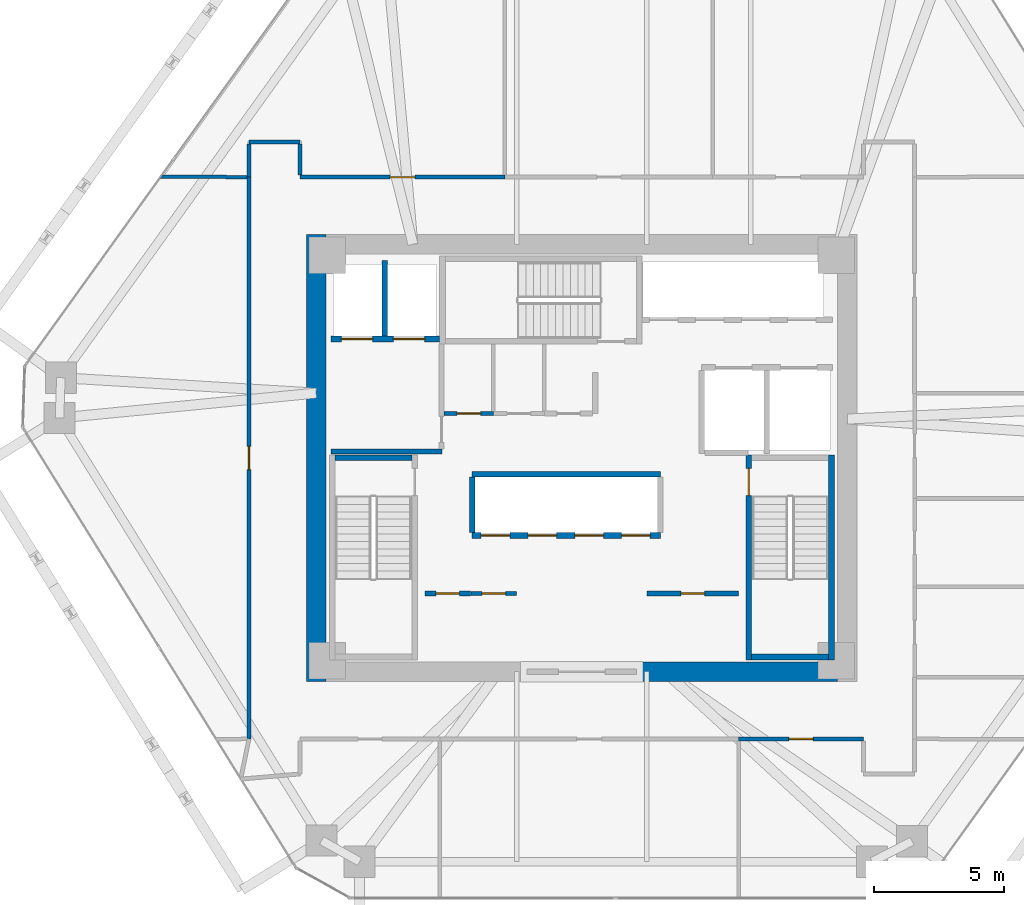
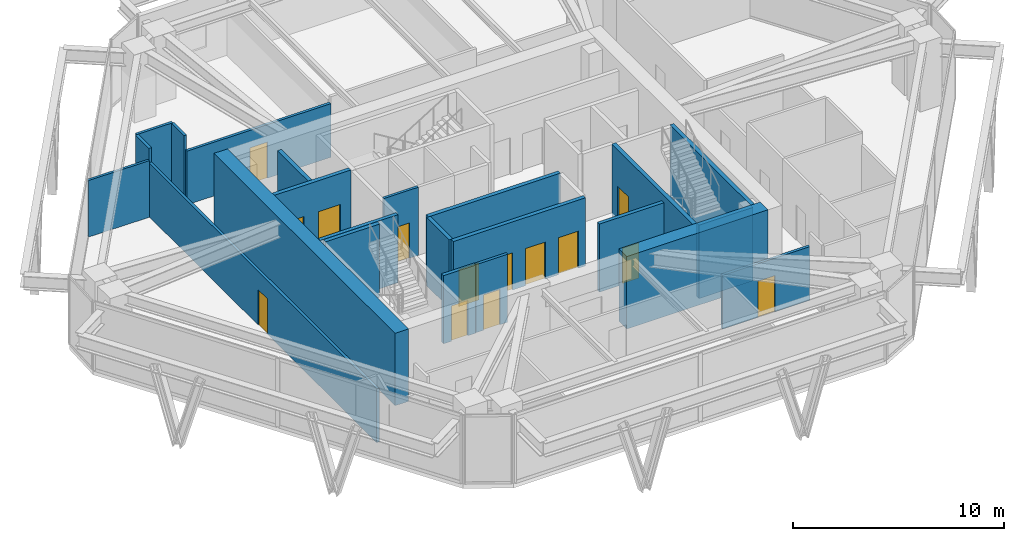
# One storey, part 10 of 14: 23 walls, 14 doors, 14 openings.
"""IFC4 building model written with IfcOpenShell, lengths in metres."""

from ifc_helpers import new_model, si_unit, direction, frame, frame_2d, origin, place, context, subcontext, project, spatial, rectangle, extrude, source, transform, mapped, material, layer, layer_set, type_object, type_shapes, element, fill, save


model = new_model("IFC4")

# Units and contexts
model_context = context("Model", 3, precision=1e-05, world=origin(), true_north=direction((0.0, 1.0)))
body_context = subcontext(model_context, "Body", "Model", "MODEL_VIEW")
ifc_project = project(units=[si_unit("LENGTHUNIT", "METRE"), si_unit("AREAUNIT", "SQUARE_METRE"), si_unit("VOLUMEUNIT", "CUBIC_METRE"), si_unit("PLANEANGLEUNIT", "RADIAN"), si_unit("MASSUNIT", "GRAM", prefix="KILO")], contexts=[model_context])

# Site, building, storey
site_placement = place(None, origin())
site = spatial("IfcSite", under=ifc_project, at=site_placement, CompositionType="ELEMENT")
building_placement = place(site_placement, origin())
building = spatial("IfcBuilding", under=site, at=building_placement, Name="Durnholm Broadcast Tower", CompositionType="ELEMENT")
storey_placement = place(building_placement, frame((0.0, 0.0, 93.300048828125)))
storey = spatial("IfcBuildingStorey", under=building, at=storey_placement, Name="L24", CompositionType="ELEMENT", Elevation=93.300048828125)

# Walls
ifc_material_1 = material(Name="Concrete C70/85", Category="concrete")
ifc_layer_1 = layer(ifc_material_1, 0.75)
ifc_layer_set_1 = layer_set([ifc_layer_1], Name="Concrete C70/85")
wall_type_1 = type_object("IfcWallType", Name="WALL-CW-750", PredefinedType="SHEAR", material=ifc_layer_set_1)
wall_1_placement = place(storey_placement, frame((-10.22509765625, -8.60009765625, 0.0), z_axis=(0.0, 0.0, 1.0), x_axis=(0.0, 1.0, 0.0)))
element("IfcWall", 1, at=wall_1_placement, inside=storey, type_object=wall_type_1, Name="L24 central core shear wall CW-WEST", PredefinedType="SHEAR", context=body_context, shape_type="SweptSolid", body=[
    extrude(rectangle(XDim=17.2001953125, YDim=0.75, at=frame_2d((8.60009765625, 0.0))), origin(), (0.0, 0.0, 1.0), 4.199951171875),
])
wall_2_placement = place(storey_placement, frame((2.10009765625, -8.22509765625, 0.0), z_axis=(0.0, 0.0, 1.0), x_axis=(1.0, 0.0, 0.0)))
element("IfcWall", 2, at=wall_2_placement, inside=storey, type_object=wall_type_1, Name="L24 central core shear wall CW-S2", PredefinedType="SHEAR", context=body_context, shape_type="SweptSolid", body=[
    extrude(rectangle(XDim=7.75, YDim=0.75, at=frame_2d((3.875, 0.0))), origin(), (0.0, 0.0, 1.0), 4.199951171875),
])
ifc_material_2 = material(Name="Fire-Rated Gypsum Shaftwall", Category="concrete")
ifc_layer_2 = layer(ifc_material_2, 0.199951171875)
ifc_layer_set_2 = layer_set([ifc_layer_2], Name="Fire-Rated Gypsum Shaftwall")
wall_type_2 = type_object("IfcWallType", Name="WALL-LOB-200", PredefinedType="SOLIDWALL", material=ifc_layer_set_2)
wall_3_placement = place(storey_placement, frame((-9.64990234375, 0.25, 0.0), z_axis=(0.0, 0.0, 1.0), x_axis=(1.0, 0.0, 0.0)))
element("IfcWall", 3, at=wall_3_placement, inside=storey, type_object=wall_type_2, Name="L24 Fire Service Access Elevator lobby south wall", PredefinedType="SOLIDWALL", context=body_context, shape_type="SweptSolid", body=[
    extrude(rectangle(XDim=4.27001953125, YDim=0.199951171875, at=frame_2d((2.135009765625, 0.0))), origin(), (0.0, 0.0, 1.0), 3.945068359375),
])

# Wall, opening, door
wall_4_placement = place(storey_placement, frame((-6.0400390625, -5.2099609375, 0.0), z_axis=(0.0, 0.0, 1.0), x_axis=(1.0, 0.0, 0.0)))
wall_4 = element("IfcWall", 4, at=wall_4_placement, inside=storey, type_object=wall_type_2, Name="L24 Media Fiber Patch Room corridor partition", PredefinedType="SOLIDWALL", context=body_context, shape_type="SweptSolid", body=[
    extrude(rectangle(XDim=1.760009765625, YDim=0.199951171875, at=frame_2d((0.8798828125, 0.0))), origin(), (0.0, 0.0, 1.0), 3.945068359375),
])
opening_1_placement = place(wall_4_placement, frame((0.429931640625, 0.0, 0.0)))
opening_1 = element("IfcOpeningElement", 5, at=opening_1_placement, cuts=wall_4, Name="Opening DC-60R", PredefinedType="OPENING", context=body_context, shape_type="SweptSolid", body=[
    extrude(rectangle(XDim=0.89990234375, YDim=2.050048828125, at=frame_2d((0.449951171875, 1.02490234375))), frame((0.0, 0.10986328125, 0.0), z_axis=(0.0, -1.0, 0.0), x_axis=(1.0, 0.0, 0.0)), (0.0, 0.0, 1.0), 0.219970703125),
])
ifc_material_3 = material(Name="Fire-Rated Core Service Door", Category="steel")
ifc_layer_3 = layer(ifc_material_3, 0.050048828125)
ifc_layer_set_3 = layer_set([ifc_layer_3], Name="Fire-Rated Core Service Door")
door_type_1 = type_object("IfcDoorType", Name="DOOR-CORE-FD60-R", OperationType="NOTDEFINED", PredefinedType="DOOR", material=ifc_layer_set_3)
shared_shape_1 = source(origin(), body_context, "Body", "SweptSolid", [
    extrude(rectangle(XDim=0.89990234375, YDim=2.050048828125, at=frame_2d((0.449951171875, 1.02490234375))), frame((0.0, 0.02490234375, 0.0), z_axis=(0.0, -1.0, 0.0), x_axis=(1.0, 0.0, 0.0)), (0.0, 0.0, 1.0), 0.050048828125),
])
type_shapes(door_type_1, [shared_shape_1])
door_1_placement = place(opening_1_placement, origin())
door_1 = element("IfcDoor", 6, at=door_1_placement, inside=storey, type_object=door_type_1, Name="L24 Media Fiber Patch Room entrance door", OperationType="SINGLE_SWING_RIGHT", OverallHeight=2.050048828125, OverallWidth=0.89990234375, PredefinedType="DOOR", context=body_context, shape_type="MappedRepresentation", body=[
    mapped(shared_shape_1, transform((0.0, 0.0, 0.0), x_axis=(1.0, 0.0, 0.0), y_axis=(0.0, 1.0, 0.0), z_axis=(0.0, 0.0, 1.0), scale=1.0)),
])
fill(opening_1, door_1)

wall_5_placement = place(storey_placement, frame((2.510009765625, -5.2099609375, 0.0), z_axis=(0.0, 0.0, 1.0), x_axis=(1.0, 0.0, 0.0)))
wall_5 = element("IfcWall", 7, at=wall_5_placement, inside=storey, type_object=wall_type_2, Name="L24 Telemetry Control Closet corridor partition", PredefinedType="SOLIDWALL", context=body_context, shape_type="SweptSolid", body=[
    extrude(rectangle(XDim=3.530029296875, YDim=0.199951171875, at=frame_2d((1.76513671875, 0.0))), origin(), (0.0, 0.0, 1.0), 3.945068359375),
])
opening_2_placement = place(wall_5_placement, frame((1.31494140625, 0.0, 0.0)))
opening_2 = element("IfcOpeningElement", 8, at=opening_2_placement, cuts=wall_5, Name="Opening DC-60R", PredefinedType="OPENING", context=body_context, shape_type="SweptSolid", body=[
    extrude(rectangle(XDim=0.89990234375, YDim=2.050048828125, at=frame_2d((0.449951171875, 1.02490234375))), frame((0.0, 0.10986328125, 0.0), z_axis=(0.0, -1.0, 0.0), x_axis=(1.0, 0.0, 0.0)), (0.0, 0.0, 1.0), 0.219970703125),
])
door_2_placement = place(opening_2_placement, origin())
door_2 = element("IfcDoor", 9, at=door_2_placement, inside=storey, type_object=door_type_1, Name="L24 Telemetry Control Closet entrance door", OperationType="SINGLE_SWING_RIGHT", OverallHeight=2.050048828125, OverallWidth=0.89990234375, PredefinedType="DOOR", context=body_context, shape_type="MappedRepresentation", body=[
    mapped(shared_shape_1, transform((0.0, 0.0, 0.0), x_axis=(1.0, 0.0, 0.0), y_axis=(0.0, 1.0, 0.0), z_axis=(0.0, 0.0, 1.0), scale=1.0)),
])
fill(opening_2, door_2)

# Wall
ifc_material_4 = material(Name="Gypsum Metal Stud Partition", Category="concrete")
ifc_layer_4 = layer(ifc_material_4, 0.135009765625)
ifc_layer_set_4 = layer_set([ifc_layer_4], Name="Gypsum Metal Stud Partition")
wall_type_3 = type_object("IfcWallType", Name="WALL-PART-135", PredefinedType="PARTITIONING", material=ifc_layer_set_4)
wall_6_placement = place(storey_placement, frame((-12.888916015625, 10.810546875, 0.0), z_axis=(0.0, 0.0, 1.0), x_axis=(-0.999976657862, 0.006832549348, 0.0)))
element("IfcWall", 10, at=wall_6_placement, inside=storey, type_object=wall_type_3, Name="L24 room dividing partition 10.16", PredefinedType="PARTITIONING", context=body_context, shape_type="SweptSolid", body=[
    extrude(rectangle(XDim=3.322998046875, YDim=0.135009765625, at=frame_2d((1.66162109375, 0.0))), origin(), (0.0, 0.0, 1.0), 3.280029296875),
])

# Wall, opening, door
ifc_material_5 = material(Name="Acoustic Gypsum Stud Partition", Category="concrete")
ifc_layer_5 = layer(ifc_material_5, 0.14990234375)
ifc_layer_set_5 = layer_set([ifc_layer_5], Name="Acoustic Gypsum Stud Partition")
wall_type_4 = type_object("IfcWallType", Name="WALL-PART-150", PredefinedType="PARTITIONING", material=ifc_layer_set_5)
wall_7_placement = place(storey_placement, frame((-4.260009765625, -5.2099609375, 0.0), z_axis=(0.0, 0.0, 1.0), x_axis=(1.0, 0.0, 0.0)))
wall_7 = element("IfcWall", 11, at=wall_7_placement, inside=storey, type_object=wall_type_4, Name="L24 Copy and Print Room corridor partition", PredefinedType="PARTITIONING", context=body_context, shape_type="SweptSolid", body=[
    extrude(rectangle(XDim=1.75, YDim=0.14990234375, at=frame_2d((0.875, 0.0))), origin(), (0.0, 0.0, 1.0), 3.945068359375),
])
opening_3_placement = place(wall_7_placement, frame((0.425048828125, 0.0, 0.0)))
opening_3 = element("IfcOpeningElement", 12, at=opening_3_placement, cuts=wall_7, Name="Opening DC-60L", PredefinedType="OPENING", context=body_context, shape_type="SweptSolid", body=[
    extrude(rectangle(XDim=0.89990234375, YDim=2.050048828125, at=frame_2d((0.449951171875, 1.02490234375))), frame((0.0, 0.0849609375, 0.0), z_axis=(0.0, -1.0, 0.0), x_axis=(1.0, 0.0, 0.0)), (0.0, 0.0, 1.0), 0.169921875),
])
ifc_layer_6 = layer(ifc_material_3, 0.050048828125)
ifc_layer_set_6 = layer_set([ifc_layer_6], Name="Fire-Rated Core Service Door")
door_type_2 = type_object("IfcDoorType", Name="DOOR-CORE-FD60-L", OperationType="NOTDEFINED", PredefinedType="DOOR", material=ifc_layer_set_6)
shared_shape_2 = source(origin(), body_context, "Body", "SweptSolid", [
    extrude(rectangle(XDim=0.89990234375, YDim=2.050048828125, at=frame_2d((0.449951171875, 1.02490234375))), frame((0.0, 0.02490234375, 0.0), z_axis=(0.0, -1.0, 0.0), x_axis=(1.0, 0.0, 0.0)), (0.0, 0.0, 1.0), 0.050048828125),
])
type_shapes(door_type_2, [shared_shape_2])
door_3_placement = place(opening_3_placement, origin())
door_3 = element("IfcDoor", 13, at=door_3_placement, inside=storey, type_object=door_type_2, Name="L24 Copy and Print Room entrance door", OperationType="SINGLE_SWING_LEFT", OverallHeight=2.050048828125, OverallWidth=0.89990234375, PredefinedType="DOOR", context=body_context, shape_type="MappedRepresentation", body=[
    mapped(shared_shape_2, transform((0.0, 0.0, 0.0), x_axis=(1.0, 0.0, 0.0), y_axis=(0.0, 1.0, 0.0), z_axis=(0.0, 0.0, 1.0), scale=1.0)),
])
fill(opening_3, door_3)

wall_8_placement = place(storey_placement, frame((-3.39990234375, 1.7099609375, 0.0), z_axis=(0.0, 0.0, 1.0), x_axis=(-1.0, 0.0, 0.0)))
wall_8 = element("IfcWall", 14, at=wall_8_placement, inside=storey, type_object=wall_type_4, Name="L24 Core Copy and Print Closet corridor partition", PredefinedType="PARTITIONING", context=body_context, shape_type="SweptSolid", body=[
    extrude(rectangle(XDim=1.89599609375, YDim=0.14990234375, at=frame_2d((0.947998046875, 0.0))), origin(), (0.0, 0.0, 1.0), 3.945068359375),
])
opening_4_placement = place(wall_8_placement, frame((0.498046875, 0.0, 0.0)))
opening_4 = element("IfcOpeningElement", 15, at=opening_4_placement, cuts=wall_8, Name="Opening DC-60L", PredefinedType="OPENING", context=body_context, shape_type="SweptSolid", body=[
    extrude(rectangle(XDim=0.89990234375, YDim=2.050048828125, at=frame_2d((0.449951171875, 1.02490234375))), frame((0.0, 0.0849609375, 0.0), z_axis=(0.0, -1.0, 0.0), x_axis=(1.0, 0.0, 0.0)), (0.0, 0.0, 1.0), 0.169921875),
])
door_4_placement = place(opening_4_placement, origin())
door_4 = element("IfcDoor", 16, at=door_4_placement, inside=storey, type_object=door_type_2, Name="L24 Core Copy and Print Closet entrance door", OperationType="SINGLE_SWING_LEFT", OverallHeight=2.050048828125, OverallWidth=0.89990234375, PredefinedType="DOOR", context=body_context, shape_type="MappedRepresentation", body=[
    mapped(shared_shape_2, transform((0.0, 0.0, 0.0), x_axis=(1.0, 0.0, 0.0), y_axis=(0.0, 1.0, 0.0), z_axis=(0.0, 0.0, 1.0), scale=1.0)),
])
fill(opening_4, door_4)

wall_9_placement = place(storey_placement, frame((-2.9599609375, 10.81005859375, 0.0), z_axis=(0.0, 0.0, 1.0), x_axis=(-1.0, 0.0, 0.0)))
wall_9 = element("IfcWall", 17, at=wall_9_placement, inside=storey, type_object=wall_type_4, Name="L24 Open Plan Broadcast Workspace 2 corridor partition", PredefinedType="PARTITIONING", context=body_context, shape_type="SweptSolid", body=[
    extrude(rectangle(XDim=7.880126953125, YDim=0.14990234375, at=frame_2d((3.93994140625, 0.0))), origin(), (0.0, 0.0, 1.0), 3.112060546875),
])
opening_5_placement = place(wall_9_placement, frame((3.465087890625, 0.0, 0.0)))
opening_5 = element("IfcOpeningElement", 18, at=opening_5_placement, cuts=wall_9, Name="Opening DR-95L", PredefinedType="OPENING", context=body_context, shape_type="SweptSolid", body=[
    extrude(rectangle(XDim=0.949951171875, YDim=2.10009765625, at=frame_2d((0.47509765625, 1.050048828125))), frame((0.0, 0.0849609375, 0.0), z_axis=(0.0, -1.0, 0.0), x_axis=(1.0, 0.0, 0.0)), (0.0, 0.0, 1.0), 0.169921875),
])
ifc_material_6 = material(Name="Acoustic Oak Veneer Timber Door", Category="wood")
ifc_layer_7 = layer(ifc_material_6, 0.050048828125)
ifc_layer_set_7 = layer_set([ifc_layer_7], Name="Acoustic Oak Veneer Timber Door")
door_type_3 = type_object("IfcDoorType", Name="DOOR-RM-950L", OperationType="NOTDEFINED", PredefinedType="DOOR", material=ifc_layer_set_7)
shared_shape_3 = source(origin(), body_context, "Body", "SweptSolid", [
    extrude(rectangle(XDim=0.949951171875, YDim=2.10009765625, at=frame_2d((0.47509765625, 1.050048828125))), frame((0.0, 0.02490234375, 0.0), z_axis=(0.0, -1.0, 0.0), x_axis=(1.0, 0.0, 0.0)), (0.0, 0.0, 1.0), 0.050048828125),
])
type_shapes(door_type_3, [shared_shape_3])
door_5_placement = place(opening_5_placement, origin())
door_5 = element("IfcDoor", 19, at=door_5_placement, inside=storey, type_object=door_type_3, Name="L24 Open Plan Broadcast Workspace 2 entrance door", OperationType="SINGLE_SWING_LEFT", OverallHeight=2.10009765625, OverallWidth=0.949951171875, PredefinedType="DOOR", context=body_context, shape_type="MappedRepresentation", body=[
    mapped(shared_shape_3, transform((0.0, 0.0, 0.0), x_axis=(1.0, 0.0, 0.0), y_axis=(0.0, 1.0, 0.0), z_axis=(0.0, 0.0, 1.0), scale=1.0)),
])
fill(opening_5, door_5)

# Walls
wall_10_placement = place(storey_placement, frame((-10.840087890625, 12.159912109375, 0.0), z_axis=(0.0, 0.0, 1.0), x_axis=(-1.0, 0.0, 0.0)))
element("IfcWall", 20, at=wall_10_placement, inside=storey, type_object=wall_type_4, Name="L24 Open Plan Broadcast Workspace 2 corridor partition", PredefinedType="PARTITIONING", context=body_context, shape_type="SweptSolid", body=[
    extrude(rectangle(XDim=1.969970703125, YDim=0.14990234375, at=frame_2d((0.98486328125, 0.0))), origin(), (0.0, 0.0, 1.0), 3.945068359375),
])
wall_11_placement = place(storey_placement, frame((-10.840087890625, 10.888916015625, 0.0), z_axis=(0.0, 0.0, 1.0), x_axis=(0.0, 1.0, 0.0)))
element("IfcWall", 21, at=wall_11_placement, inside=storey, type_object=wall_type_4, Name="L24 Open Plan Broadcast Workspace 2 corridor partition", PredefinedType="PARTITIONING", context=body_context, shape_type="SweptSolid", body=[
    extrude(rectangle(XDim=1.192138671875, YDim=0.14990234375, at=frame_2d((0.59619140625, 0.0))), origin(), (0.0, 0.0, 1.0), 3.945068359375),
])
wall_12_placement = place(storey_placement, frame((-12.81005859375, 12.0810546875, 0.0), z_axis=(0.0, 0.0, 1.0), x_axis=(0.0, -1.0, 0.0)))
element("IfcWall", 22, at=wall_12_placement, inside=storey, type_object=wall_type_4, Name="L24 Open Plan Broadcast Workspace 2 corridor partition", PredefinedType="PARTITIONING", context=body_context, shape_type="SweptSolid", body=[
    extrude(rectangle(XDim=1.27099609375, YDim=0.14990234375, at=frame_2d((0.635498046875, 0.0))), origin(), (0.0, 0.0, 1.0), 3.945068359375),
])

# Wall, opening, door
wall_13_placement = place(storey_placement, frame((6.0400390625, -10.81005859375, 0.0), z_axis=(0.0, 0.0, 1.0), x_axis=(1.0, 0.0, 0.0)))
wall_13 = element("IfcWall", 23, at=wall_13_placement, inside=storey, type_object=wall_type_4, Name="L24 Sky Barista Kitchen corridor partition", PredefinedType="PARTITIONING", context=body_context, shape_type="SweptSolid", body=[
    extrude(rectangle(XDim=4.800048828125, YDim=0.14990234375, at=frame_2d((2.39990234375, 0.0))), origin(), (0.0, 0.0, 1.0), 3.112060546875),
])
opening_6_placement = place(wall_13_placement, frame((1.93994140625, 0.0, 0.0)))
opening_6 = element("IfcOpeningElement", 24, at=opening_6_placement, cuts=wall_13, Name="Opening DR-92R", PredefinedType="OPENING", context=body_context, shape_type="SweptSolid", body=[
    extrude(rectangle(XDim=0.919921875, YDim=2.10009765625, at=frame_2d((0.4599609375, 1.050048828125))), frame((0.0, 0.0849609375, 0.0), z_axis=(0.0, -1.0, 0.0), x_axis=(1.0, 0.0, 0.0)), (0.0, 0.0, 1.0), 0.169921875),
])
ifc_material_7 = material(Name="Oak Veneer Office Door", Category="wood")
ifc_layer_8 = layer(ifc_material_7, 0.050048828125)
ifc_layer_set_8 = layer_set([ifc_layer_8], Name="Oak Veneer Office Door")
door_type_4 = type_object("IfcDoorType", Name="DOOR-RM-920R", OperationType="NOTDEFINED", PredefinedType="DOOR", material=ifc_layer_set_8)
shared_shape_4 = source(origin(), body_context, "Body", "SweptSolid", [
    extrude(rectangle(XDim=0.919921875, YDim=2.10009765625, at=frame_2d((0.4599609375, 1.050048828125))), frame((0.0, 0.02490234375, 0.0), z_axis=(0.0, -1.0, 0.0), x_axis=(1.0, 0.0, 0.0)), (0.0, 0.0, 1.0), 0.050048828125),
])
type_shapes(door_type_4, [shared_shape_4])
door_6_placement = place(opening_6_placement, origin())
door_6 = element("IfcDoor", 25, at=door_6_placement, inside=storey, type_object=door_type_4, Name="L24 Sky Barista Kitchen entrance door", OperationType="SINGLE_SWING_RIGHT", OverallHeight=2.10009765625, OverallWidth=0.919921875, PredefinedType="DOOR", context=body_context, shape_type="MappedRepresentation", body=[
    mapped(shared_shape_4, transform((0.0, 0.0, 0.0), x_axis=(1.0, 0.0, 0.0), y_axis=(0.0, 1.0, 0.0), z_axis=(0.0, 0.0, 1.0), scale=1.0)),
])
fill(opening_6, door_6)

wall_14_placement = place(storey_placement, frame((-12.81005859375, 10.81005859375, 0.0), z_axis=(0.0, 0.0, 1.0), x_axis=(0.0, -1.0, 0.0)))
wall_14 = element("IfcWall", 26, at=wall_14_placement, inside=storey, type_object=wall_type_4, Name="L24 Sky Lobby 1 Concourse corridor partition", PredefinedType="PARTITIONING", context=body_context, shape_type="SweptSolid", body=[
    extrude(rectangle(XDim=21.6201171875, YDim=0.14990234375, at=frame_2d((10.81005859375, 0.0))), origin(), (0.0, 0.0, 1.0), 3.112060546875),
])
opening_7_placement = place(wall_14_placement, frame((10.360107421875, 0.0, 0.0)))
opening_7 = element("IfcOpeningElement", 27, at=opening_7_placement, cuts=wall_14, Name="Opening DC-60L", PredefinedType="OPENING", context=body_context, shape_type="SweptSolid", body=[
    extrude(rectangle(XDim=0.89990234375, YDim=2.050048828125, at=frame_2d((0.449951171875, 1.02490234375))), frame((0.0, 0.0849609375, 0.0), z_axis=(0.0, -1.0, 0.0), x_axis=(1.0, 0.0, 0.0)), (0.0, 0.0, 1.0), 0.169921875),
])
door_7_placement = place(opening_7_placement, origin())
door_7 = element("IfcDoor", 28, at=door_7_placement, inside=storey, type_object=door_type_2, Name="L24 Sky Lobby 1 Concourse entrance door", OperationType="SINGLE_SWING_LEFT", OverallHeight=2.050048828125, OverallWidth=0.89990234375, PredefinedType="DOOR", context=body_context, shape_type="MappedRepresentation", body=[
    mapped(shared_shape_2, transform((0.0, 0.0, 0.0), x_axis=(1.0, 0.0, 0.0), y_axis=(0.0, 1.0, 0.0), z_axis=(0.0, 0.0, 1.0), scale=1.0)),
])
fill(opening_7, door_7)

# Wall, openings, doors
ifc_material_8 = material(Name="Concrete Blockwork C30/37", Category="masonry")
ifc_layer_9 = layer(ifc_material_8, 0.219970703125)
ifc_layer_set_9 = layer_set([ifc_layer_9], Name="Concrete Blockwork C30/37")
wall_type_5 = type_object("IfcWallType", Name="WALL-SHAFT-220", PredefinedType="SOLIDWALL", material=ifc_layer_set_9)
wall_15_placement = place(storey_placement, frame((-9.64990234375, 4.580078125, 0.0), z_axis=(0.0, 0.0, 1.0), x_axis=(1.0, 0.0, 0.0)))
wall_15 = element("IfcWall", 29, at=wall_15_placement, inside=storey, type_object=wall_type_5, Name="L24 FSAE hoistway front fire wall", PredefinedType="SOLIDWALL", context=body_context, shape_type="SweptSolid", body=[
    extrude(rectangle(XDim=4.1748046875, YDim=0.219970703125, at=frame_2d((2.08740234375, 0.0))), origin(), (0.0, 0.0, 1.0), 3.945068359375),
])
opening_8_placement = place(wall_15_placement, frame((0.39990234375, 0.0, 0.0)))
opening_8 = element("IfcOpeningElement", 30, at=opening_8_placement, cuts=wall_15, Name="Opening LD-FSAE-2", PredefinedType="OPENING", context=body_context, shape_type="SweptSolid", body=[
    extrude(rectangle(XDim=1.199951171875, YDim=2.14990234375, at=frame_2d((0.60009765625, 1.074951171875))), frame((0.0, 0.1201171875, 0.0), z_axis=(0.0, -1.0, 0.0), x_axis=(1.0, 0.0, 0.0)), (0.0, 0.0, 1.0), 0.239990234375),
])
opening_9_placement = place(wall_15_placement, frame((2.39990234375, 0.0, 0.0)))
opening_9 = element("IfcOpeningElement", 31, at=opening_9_placement, cuts=wall_15, Name="Opening LD-FSAE-1", PredefinedType="OPENING", context=body_context, shape_type="SweptSolid", body=[
    extrude(rectangle(XDim=1.199951171875, YDim=2.14990234375, at=frame_2d((0.60009765625, 1.074951171875))), frame((0.0, 0.1201171875, 0.0), z_axis=(0.0, -1.0, 0.0), x_axis=(1.0, 0.0, 0.0)), (0.0, 0.0, 1.0), 0.239990234375),
])
ifc_material_9 = material(Name="Fire Service Access Sliding Landing Door", Category="steel")
ifc_layer_10 = layer(ifc_material_9, 0.050048828125)
ifc_layer_set_10 = layer_set([ifc_layer_10], Name="Fire Service Access Sliding Landing Door")
door_type_5 = type_object("IfcDoorType", Name="DOOR-LIFT-FSAE", OperationType="DOUBLE_DOOR_SLIDING", PredefinedType="DOOR", material=ifc_layer_set_10)
shared_shape_5 = source(origin(), body_context, "Body", "SweptSolid", [
    extrude(rectangle(XDim=1.199951171875, YDim=2.14990234375, at=frame_2d((0.60009765625, 1.074951171875))), frame((0.0, 0.02490234375, 0.0), z_axis=(0.0, -1.0, 0.0), x_axis=(1.0, 0.0, 0.0)), (0.0, 0.0, 1.0), 0.050048828125),
])
type_shapes(door_type_5, [shared_shape_5])
door_8_placement = place(opening_8_placement, origin())
door_8 = element("IfcDoor", 32, at=door_8_placement, inside=storey, type_object=door_type_5, Name="L24 Fire Service Access Elevator FSAE-2 sliding landing door", OperationType="DOUBLE_DOOR_SLIDING", OverallHeight=2.14990234375, OverallWidth=1.199951171875, PredefinedType="DOOR", context=body_context, shape_type="MappedRepresentation", body=[
    mapped(shared_shape_5, transform((0.0, 0.0, 0.0), x_axis=(1.0, 0.0, 0.0), y_axis=(0.0, 1.0, 0.0), z_axis=(0.0, 0.0, 1.0), scale=1.0)),
])
fill(opening_8, door_8)
door_9_placement = place(opening_9_placement, origin())
door_9 = element("IfcDoor", 33, at=door_9_placement, inside=storey, type_object=door_type_5, Name="L24 Fire Service Access Elevator FSAE-1 sliding landing door", OperationType="DOUBLE_DOOR_SLIDING", OverallHeight=2.14990234375, OverallWidth=1.199951171875, PredefinedType="DOOR", context=body_context, shape_type="MappedRepresentation", body=[
    mapped(shared_shape_5, transform((0.0, 0.0, 0.0), x_axis=(1.0, 0.0, 0.0), y_axis=(0.0, 1.0, 0.0), z_axis=(0.0, 0.0, 1.0), scale=1.0)),
])
fill(opening_9, door_9)

# Wall
wall_16_placement = place(storey_placement, frame((-7.580078125, 4.694091796875, 0.0), z_axis=(0.0, 0.0, 1.0), x_axis=(0.0, 1.0, 0.0)))
element("IfcWall", 34, at=wall_16_placement, inside=storey, type_object=wall_type_5, Name="L24 FSAE shaft divider wall", PredefinedType="SOLIDWALL", context=body_context, shape_type="SweptSolid", body=[
    extrude(rectangle(XDim=2.906005859375, YDim=0.219970703125, at=frame_2d((1.453125, 0.0))), origin(), (0.0, 0.0, 1.0), 3.945068359375),
])

# Wall, openings, doors
wall_17_placement = place(storey_placement, frame((-4.219970703125, -2.97998046875, 0.0), z_axis=(0.0, 0.0, 1.0), x_axis=(1.0, 0.0, 0.0)))
wall_17 = element("IfcWall", 35, at=wall_17_placement, inside=storey, type_object=wall_type_5, Name="L24 mid-rise bank P2 south front wall", PredefinedType="SOLIDWALL", context=body_context, shape_type="SweptSolid", body=[
    extrude(rectangle(XDim=7.239990234375, YDim=0.219970703125, at=frame_2d((3.6201171875, 0.0))), origin(), (0.0, 0.0, 1.0), 3.945068359375),
])
opening_10_placement = place(wall_17_placement, frame((0.35009765625, 0.0, 0.0)))
opening_10 = element("IfcOpeningElement", 36, at=opening_10_placement, cuts=wall_17, Name="Opening LD-LP2-1", PredefinedType="OPENING", context=body_context, shape_type="SweptSolid", body=[
    extrude(rectangle(XDim=1.10009765625, YDim=2.14990234375, at=frame_2d((0.550048828125, 1.074951171875))), frame((0.0, 0.1201171875, 0.0), z_axis=(0.0, -1.0, 0.0), x_axis=(1.0, 0.0, 0.0)), (0.0, 0.0, 1.0), 0.239990234375),
])
opening_11_placement = place(wall_17_placement, frame((2.14990234375, 0.0, 0.0)))
opening_11 = element("IfcOpeningElement", 37, at=opening_11_placement, cuts=wall_17, Name="Opening LD-LP2-2", PredefinedType="OPENING", context=body_context, shape_type="SweptSolid", body=[
    extrude(rectangle(XDim=1.10009765625, YDim=2.14990234375, at=frame_2d((0.550048828125, 1.074951171875))), frame((0.0, 0.1201171875, 0.0), z_axis=(0.0, -1.0, 0.0), x_axis=(1.0, 0.0, 0.0)), (0.0, 0.0, 1.0), 0.239990234375),
])
opening_12_placement = place(wall_17_placement, frame((3.949951171875, 0.0, 0.0)))
opening_12 = element("IfcOpeningElement", 38, at=opening_12_placement, cuts=wall_17, Name="Opening LD-LP2-3", PredefinedType="OPENING", context=body_context, shape_type="SweptSolid", body=[
    extrude(rectangle(XDim=1.10009765625, YDim=2.14990234375, at=frame_2d((0.550048828125, 1.074951171875))), frame((0.0, 0.1201171875, 0.0), z_axis=(0.0, -1.0, 0.0), x_axis=(1.0, 0.0, 0.0)), (0.0, 0.0, 1.0), 0.239990234375),
])
opening_13_placement = place(wall_17_placement, frame((5.75, 0.0, 0.0)))
opening_13 = element("IfcOpeningElement", 39, at=opening_13_placement, cuts=wall_17, Name="Opening LD-LP2-4", PredefinedType="OPENING", context=body_context, shape_type="SweptSolid", body=[
    extrude(rectangle(XDim=1.10009765625, YDim=2.14990234375, at=frame_2d((0.550048828125, 1.074951171875))), frame((0.0, 0.1201171875, 0.0), z_axis=(0.0, -1.0, 0.0), x_axis=(1.0, 0.0, 0.0)), (0.0, 0.0, 1.0), 0.239990234375),
])
ifc_material_10 = material(Name="Stainless Steel Sliding Elevator Landing Door", Category="steel")
ifc_layer_11 = layer(ifc_material_10, 0.050048828125)
ifc_layer_set_11 = layer_set([ifc_layer_11], Name="Stainless Steel Sliding Elevator Landing Door")
door_type_6 = type_object("IfcDoorType", Name="DOOR-LIFT-PAX", OperationType="DOUBLE_DOOR_SLIDING", PredefinedType="DOOR", material=ifc_layer_set_11)
shared_shape_6 = source(origin(), body_context, "Body", "SweptSolid", [
    extrude(rectangle(XDim=1.10009765625, YDim=2.14990234375, at=frame_2d((0.550048828125, 1.074951171875))), frame((0.0, 0.02490234375, 0.0), z_axis=(0.0, -1.0, 0.0), x_axis=(1.0, 0.0, 0.0)), (0.0, 0.0, 1.0), 0.050048828125),
])
type_shapes(door_type_6, [shared_shape_6])
door_10_placement = place(opening_10_placement, origin())
door_10 = element("IfcDoor", 40, at=door_10_placement, inside=storey, type_object=door_type_6, Name="L24 passenger elevator LP2-1 sliding landing door", OperationType="DOUBLE_DOOR_SLIDING", OverallHeight=2.14990234375, OverallWidth=1.10009765625, PredefinedType="DOOR", context=body_context, shape_type="MappedRepresentation", body=[
    mapped(shared_shape_6, transform((0.0, 0.0, 0.0), x_axis=(1.0, 0.0, 0.0), y_axis=(0.0, 1.0, 0.0), z_axis=(0.0, 0.0, 1.0), scale=1.0)),
])
fill(opening_10, door_10)
door_11_placement = place(opening_11_placement, origin())
door_11 = element("IfcDoor", 41, at=door_11_placement, inside=storey, type_object=door_type_6, Name="L24 passenger elevator LP2-2 sliding landing door", OperationType="DOUBLE_DOOR_SLIDING", OverallHeight=2.14990234375, OverallWidth=1.10009765625, PredefinedType="DOOR", context=body_context, shape_type="MappedRepresentation", body=[
    mapped(shared_shape_6, transform((0.0, 0.0, 0.0), x_axis=(1.0, 0.0, 0.0), y_axis=(0.0, 1.0, 0.0), z_axis=(0.0, 0.0, 1.0), scale=1.0)),
])
fill(opening_11, door_11)
door_12_placement = place(opening_12_placement, origin())
door_12 = element("IfcDoor", 42, at=door_12_placement, inside=storey, type_object=door_type_6, Name="L24 passenger elevator LP2-3 sliding landing door", OperationType="DOUBLE_DOOR_SLIDING", OverallHeight=2.14990234375, OverallWidth=1.10009765625, PredefinedType="DOOR", context=body_context, shape_type="MappedRepresentation", body=[
    mapped(shared_shape_6, transform((0.0, 0.0, 0.0), x_axis=(1.0, 0.0, 0.0), y_axis=(0.0, 1.0, 0.0), z_axis=(0.0, 0.0, 1.0), scale=1.0)),
])
fill(opening_12, door_12)
door_13_placement = place(opening_13_placement, origin())
door_13 = element("IfcDoor", 43, at=door_13_placement, inside=storey, type_object=door_type_6, Name="L24 passenger elevator LP2-4 sliding landing door", OperationType="DOUBLE_DOOR_SLIDING", OverallHeight=2.14990234375, OverallWidth=1.10009765625, PredefinedType="DOOR", context=body_context, shape_type="MappedRepresentation", body=[
    mapped(shared_shape_6, transform((0.0, 0.0, 0.0), x_axis=(1.0, 0.0, 0.0), y_axis=(0.0, 1.0, 0.0), z_axis=(0.0, 0.0, 1.0), scale=1.0)),
])
fill(opening_13, door_13)

# Walls
wall_18_placement = place(storey_placement, frame((-4.219970703125, -0.6201171875, 0.0), z_axis=(0.0, 0.0, 1.0), x_axis=(1.0, 0.0, 0.0)))
element("IfcWall", 44, at=wall_18_placement, inside=storey, type_object=wall_type_5, Name="L24 mid-rise bank P2 north shaft wall", PredefinedType="SOLIDWALL", context=body_context, shape_type="SweptSolid", body=[
    extrude(rectangle(XDim=7.239990234375, YDim=0.219970703125, at=frame_2d((3.6201171875, 0.0))), origin(), (0.0, 0.0, 1.0), 3.945068359375),
])
wall_19_placement = place(storey_placement, frame((-4.219970703125, -2.865966796875, 0.0), z_axis=(0.0, 0.0, 1.0), x_axis=(0.0, 1.0, 0.0)))
element("IfcWall", 45, at=wall_19_placement, inside=storey, type_object=wall_type_5, Name="L24 mid-rise bank P2 west shaft wall", PredefinedType="SOLIDWALL", context=body_context, shape_type="SweptSolid", body=[
    extrude(rectangle(XDim=2.132080078125, YDim=0.219970703125, at=frame_2d((1.06591796875, 0.0))), origin(), (0.0, 0.0, 1.0), 3.945068359375),
])
ifc_material_11 = material(Name="Concrete C50/60", Category="concrete")
ifc_layer_12 = layer(ifc_material_11, 0.219970703125)
ifc_layer_set_12 = layer_set([ifc_layer_12], Name="Concrete C50/60")
wall_type_6 = type_object("IfcWallType", Name="WALL-SW-220", PredefinedType="SHEAR", material=ifc_layer_set_12)
wall_20_placement = place(storey_placement, frame((-6.5400390625, 0.010009765625, -0.300048828125), z_axis=(0.0, 0.0, 1.0), x_axis=(-1.0, 0.0, 0.0)))
element("IfcWall", 46, at=wall_20_placement, inside=storey, type_object=wall_type_6, Name="L24 stair ST-1 structural shaft wall N", PredefinedType="SHEAR", context=body_context, shape_type="SweptSolid", body=[
    extrude(rectangle(XDim=2.9599609375, YDim=0.219970703125, at=frame_2d((1.47998046875, 0.0))), origin(), (0.0, 0.0, 1.0), 4.260009765625),
])
wall_21_placement = place(storey_placement, frame((9.610107421875, -7.77001953125, -0.300048828125), z_axis=(0.0, 0.0, 1.0), x_axis=(0.0, 1.0, 0.0)))
element("IfcWall", 47, at=wall_21_placement, inside=storey, type_object=wall_type_6, Name="L24 stair ST-2 structural shaft wall E", PredefinedType="SHEAR", context=body_context, shape_type="SweptSolid", body=[
    extrude(rectangle(XDim=7.89013671875, YDim=0.219970703125, at=frame_2d((3.945068359375, 0.0))), origin(), (0.0, 0.0, 1.0), 4.260009765625),
])

# Wall, opening, door
wall_22_placement = place(storey_placement, frame((6.429931640625, 0.1201171875, -0.300048828125), z_axis=(0.0, 0.0, 1.0), x_axis=(0.0, -1.0, 0.0)))
wall_22 = element("IfcWall", 48, at=wall_22_placement, inside=storey, type_object=wall_type_6, Name="L24 stair ST-2 structural shaft wall W", PredefinedType="SHEAR", context=body_context, shape_type="SweptSolid", body=[
    extrude(rectangle(XDim=7.89013671875, YDim=0.219970703125, at=frame_2d((3.945068359375, 0.0))), origin(), (0.0, 0.0, 1.0), 4.260009765625),
])
opening_14_placement = place(wall_22_placement, frame((0.52001953125, 0.0, 0.0)))
opening_14 = element("IfcOpeningElement", 49, at=opening_14_placement, cuts=wall_22, Name="Opening DS-90R", PredefinedType="OPENING", context=body_context, shape_type="SweptSolid", body=[
    extrude(rectangle(XDim=1.050048828125, YDim=2.14990234375, at=frame_2d((0.52490234375, 1.074951171875))), frame((0.0, 0.1201171875, 0.0), z_axis=(0.0, -1.0, 0.0), x_axis=(1.0, 0.0, 0.0)), (0.0, 0.0, 1.0), 0.239990234375),
])
ifc_material_12 = material(Name="Fire-Rated Steel Door", Category="steel")
ifc_layer_13 = layer(ifc_material_12, 0.050048828125)
ifc_layer_set_13 = layer_set([ifc_layer_13], Name="Fire-Rated Steel Door")
door_type_7 = type_object("IfcDoorType", Name="DOOR-ST-FD90-R", OperationType="NOTDEFINED", PredefinedType="DOOR", material=ifc_layer_set_13)
shared_shape_7 = source(origin(), body_context, "Body", "SweptSolid", [
    extrude(rectangle(XDim=1.050048828125, YDim=2.14990234375, at=frame_2d((0.52490234375, 1.074951171875))), frame((0.0, 0.02490234375, 0.0), z_axis=(0.0, -1.0, 0.0), x_axis=(1.0, 0.0, 0.0)), (0.0, 0.0, 1.0), 0.050048828125),
])
type_shapes(door_type_7, [shared_shape_7])
door_14_placement = place(opening_14_placement, origin())
door_14 = element("IfcDoor", 50, at=door_14_placement, inside=storey, type_object=door_type_7, Name="L24 exit stair ST-2 fire door", OperationType="SINGLE_SWING_RIGHT", OverallHeight=2.14990234375, OverallWidth=1.050048828125, PredefinedType="DOOR", context=body_context, shape_type="MappedRepresentation", body=[
    mapped(shared_shape_7, transform((0.0, 0.0, 0.0), x_axis=(1.0, 0.0, 0.0), y_axis=(0.0, 1.0, 0.0), z_axis=(0.0, 0.0, 1.0), scale=1.0)),
])
fill(opening_14, door_14)

# Wall
wall_23_placement = place(storey_placement, frame((6.5400390625, -7.659912109375, -0.300048828125), z_axis=(0.0, 0.0, 1.0), x_axis=(1.0, 0.0, 0.0)))
element("IfcWall", 51, at=wall_23_placement, inside=storey, type_object=wall_type_6, Name="L24 stair ST-2 structural shaft wall S", PredefinedType="SHEAR", context=body_context, shape_type="SweptSolid", body=[
    extrude(rectangle(XDim=2.9599609375, YDim=0.219970703125, at=frame_2d((1.47998046875, 0.0))), origin(), (0.0, 0.0, 1.0), 4.260009765625),
])

save(model, "model.ifc")
